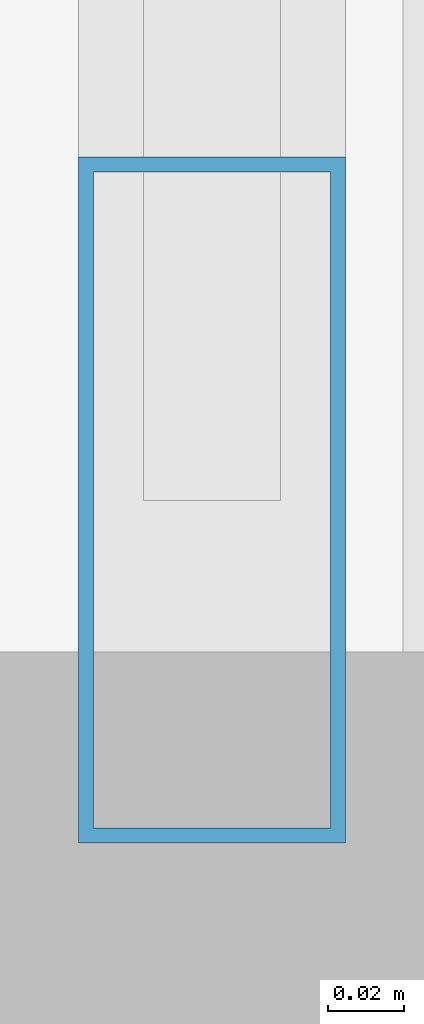
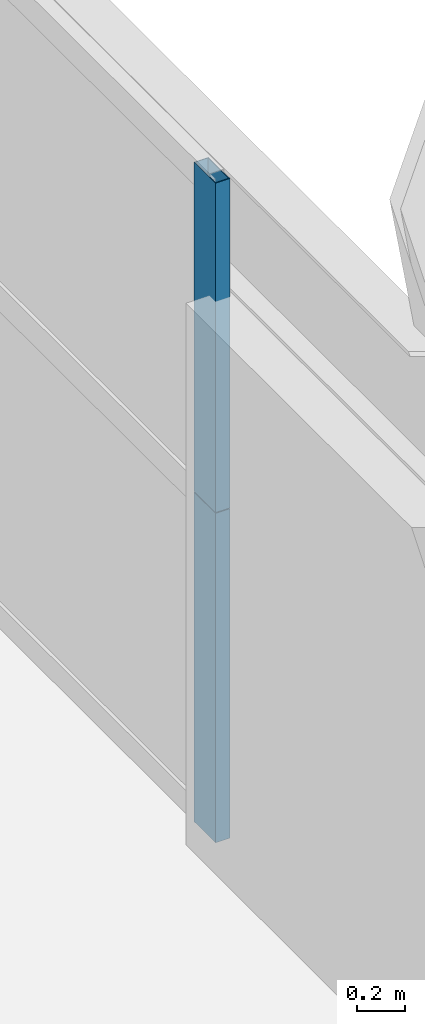
# One storey, part 18 of 43: 2 members, 1 element without a shape of its own.
"""IFC4 building model written with IfcOpenShell, lengths in metres."""

from ifc_helpers import new_model, si_unit, direction, frame, origin, origin_2d, place, context, subcontext, project, spatial, hollow_rectangle, extrude, source, transform, mapped, material, layer, layer_set, material_profile, profile_set, type_object, element, aggregate, save


model = new_model("IFC4")

# Units and contexts
model_context = context("Model", 3, precision=1e-05, world=origin(), true_north=direction((0.0, 1.0)))
body_context = subcontext(model_context, "Body", "Model", "MODEL_VIEW")
ifc_project = project(units=[si_unit("LENGTHUNIT", "METRE"), si_unit("AREAUNIT", "SQUARE_METRE"), si_unit("VOLUMEUNIT", "CUBIC_METRE"), si_unit("PLANEANGLEUNIT", "RADIAN"), si_unit("MASSUNIT", "GRAM", prefix="KILO"), si_unit("THERMODYNAMICTEMPERATUREUNIT", "KELVIN"), si_unit("POWERUNIT", "WATT")], contexts=[model_context])

# Site, building, storey
site_placement = place(None, origin())
site = spatial("IfcSite", under=ifc_project, at=site_placement, CompositionType="ELEMENT")
building_placement = place(site_placement, origin())
building = spatial("IfcBuilding", under=site, at=building_placement, Name="Yuzanri Waterfront Tower", CompositionType="ELEMENT")
storey_placement = place(building_placement, frame((0.0, 0.0, 93.800048828125)))
storey = spatial("IfcBuildingStorey", under=building, at=storey_placement, Name="L24", CompositionType="ELEMENT", Elevation=93.800048828125)

# Curtain wall, members
ifc_material_1 = material(Name="Anodized Architectural Bronze", Category="metal")
ifc_layer = layer(ifc_material_1, 0.159912109375)
ifc_layer_set = layer_set([ifc_layer], Name="Anodized Architectural Bronze")
curtain_wall_type = type_object("IfcCurtainWallType", Name="Anodized Bronze Hotel Upper-Tier Solar-Control Unitized Curtain Wall 7800", PredefinedType="NOTDEFINED", material=ifc_layer_set)
curtain_wall_placement = place(storey_placement, origin())
curtain_wall = element("IfcCurtainWall", 1, at=curtain_wall_placement, inside=storey, type_object=curtain_wall_type, Name="L24 Curtain Wall CW-L24-EL", PredefinedType="NOTDEFINED")
ifc_material_2 = material(Name="Anodized Architectural Bronze", Category="metal")
ifc_material_profile = material_profile(ifc_material_2, hollow_rectangle(XDim=0.070068359375, YDim=0.179931640625, WallThickness=0.00390625, at=origin_2d()), Name="CWM 70x180")
ifc_profile_set = profile_set([ifc_material_profile], Name="Anodized Architectural Bronze")
member_type = type_object("IfcMemberType", Name="Anodized Bronze Standard Curtain-Wall Mullion 70x180", PredefinedType="MULLION", material=ifc_profile_set)
shared_shape = source(origin(), body_context, "Body", "SweptSolid", [
    extrude(hollow_rectangle(XDim=0.070068359375, YDim=0.179931640625, WallThickness=0.00390625, at=origin_2d()), origin(), (0.0, 0.0, 1.0), 1.68798828125),
])
member_1_placement = place(storey_placement, frame((60.449951171875, 9.590087890625, 0.0), z_axis=(0.0, 0.0, 1.0), x_axis=(1.0, 0.0, 0.0)))
member_1 = element("IfcMember", 2, at=member_1_placement, type_object=member_type, Name="CW-L24-EL Lower Mullion 00", PredefinedType="MULLION", context=body_context, shape_type="MappedRepresentation", body=[
    mapped(shared_shape, transform((0.0, 0.0, 0.0), scale=1.0)),
])
member_2_placement = place(storey_placement, frame((60.449951171875, 9.590087890625, 1.69189453125), z_axis=(0.0, 0.0, 1.0), x_axis=(1.0, 0.0, 0.0)))
member_2 = element("IfcMember", 3, at=member_2_placement, type_object=member_type, Name="CW-L24-EL Upper Mullion 00", PredefinedType="MULLION", context=body_context, shape_type="MappedRepresentation", body=[
    mapped(shared_shape, transform((0.0, 0.0, 0.0), scale=1.0)),
])
aggregate(curtain_wall, [member_1, member_2])

save(model, "model.ifc")
